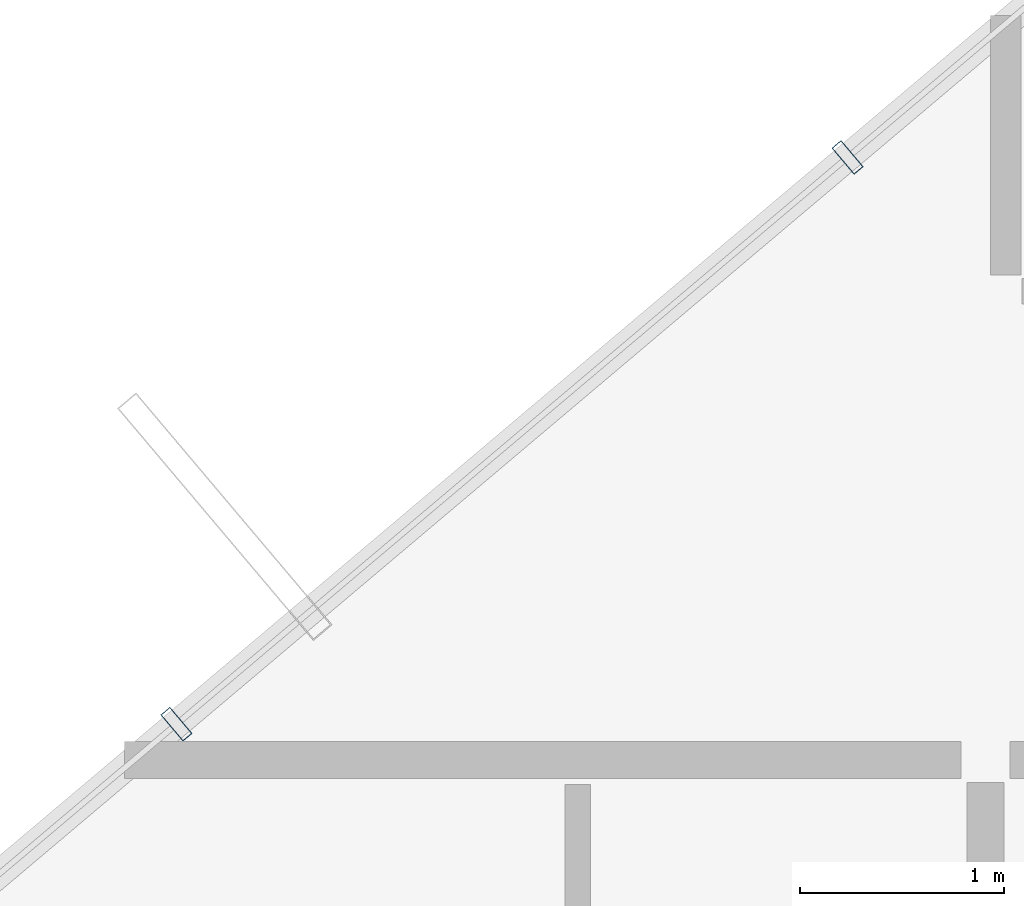
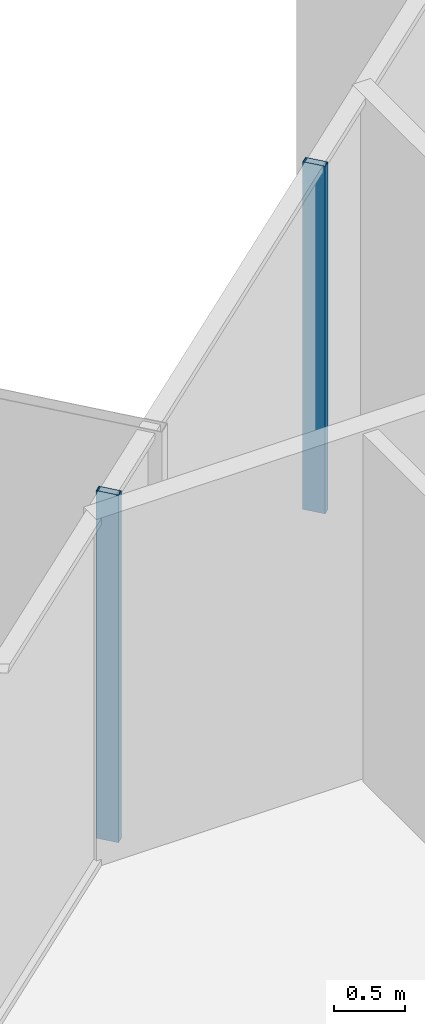
# One storey, part 21 of 36: 2 members, 1 element without a shape of its own.
"""IFC4 building model written with IfcOpenShell, lengths in metres."""

from ifc_helpers import new_model, si_unit, direction, frame, origin, origin_2d, place, context, subcontext, project, spatial, hollow_rectangle, extrude, source, transform, mapped, material, layer, layer_set, material_profile, profile_set, type_object, element, aggregate, save


model = new_model("IFC4")

# Units and contexts
model_context = context("Model", 3, precision=1e-05, world=origin(), true_north=direction((0.0, 1.0)))
body_context = subcontext(model_context, "Body", "Model", "MODEL_VIEW")
ifc_project = project(units=[si_unit("LENGTHUNIT", "METRE"), si_unit("AREAUNIT", "SQUARE_METRE"), si_unit("VOLUMEUNIT", "CUBIC_METRE"), si_unit("PLANEANGLEUNIT", "RADIAN"), si_unit("MASSUNIT", "GRAM", prefix="KILO")], contexts=[model_context])

# Site, building, storey
site_placement = place(None, origin())
site = spatial("IfcSite", under=ifc_project, at=site_placement, CompositionType="ELEMENT")
building_placement = place(site_placement, origin())
building = spatial("IfcBuilding", under=site, at=building_placement, Name="Veraguas Prism Commons", CompositionType="ELEMENT")
storey_placement = place(building_placement, frame((0.0, 0.0, 163.050048828125)))
storey = spatial("IfcBuildingStorey", under=building, at=storey_placement, Name="L46", CompositionType="ELEMENT", Elevation=163.050048828125)

# Curtain wall, members
ifc_material = material(Name="Anodised aluminium EN AW-6063 T6", Category="aluminium")
ifc_layer = layer(ifc_material, 0.169921875, Name="Unitised Flush Curtain Wall Zone 2", Category="aluminium")
ifc_layer_set = layer_set([ifc_layer], Name="Anodised aluminium EN AW-6063 T6")
curtain_wall_type = type_object("IfcCurtainWallType", Name="Unitised Flush Curtain Wall Zone 2", PredefinedType="NOTDEFINED", material=ifc_layer_set)
curtain_wall_placement = place(storey_placement, origin())
curtain_wall = element("IfcCurtainWall", 1, at=curtain_wall_placement, inside=storey, type_object=curtain_wall_type, Name="Tower Facade Curtain Wall L46-F2", PredefinedType="NOTDEFINED")
ifc_material_profile = material_profile(ifc_material, hollow_rectangle(XDim=0.06005859375, YDim=0.169921875, WallThickness=0.00390625, at=origin_2d()), Name="AL60X170X4")
ifc_profile_set = profile_set([ifc_material_profile], Name="Anodised aluminium EN AW-6063 T6")
member_type = type_object("IfcMemberType", Name="Curtain Wall Mullion Lower AL 60x170x4", PredefinedType="MULLION", material=ifc_profile_set)
shared_shape = source(origin(), body_context, "Body", "SweptSolid", [
    extrude(hollow_rectangle(XDim=0.06005859375, YDim=0.169921875, WallThickness=0.00390625, at=origin_2d()), origin(), (0.0, 0.0, 1.0), 3.0),
])
member_1_placement = place(storey_placement, frame((11.62353515625, 38.65576171875, 0.0), z_axis=(0.0, 0.0, 1.0), x_axis=(-0.764022415403, -0.645189699826, 0.0)))
member_1 = element("IfcMember", 2, at=member_1_placement, type_object=member_type, Name="CW-Z2 Mullion 3", PredefinedType="MULLION", context=body_context, shape_type="MappedRepresentation", body=[
    mapped(shared_shape, transform((0.0, 0.0, 0.0), scale=1.0)),
])
member_2_placement = place(storey_placement, frame((8.331787109375, 35.8759765625, 0.0), z_axis=(0.0, 0.0, 1.0), x_axis=(-0.764022415403, -0.645189699826, 0.0)))
member_2 = element("IfcMember", 3, at=member_2_placement, type_object=member_type, Name="CW-Z2 Mullion 4", PredefinedType="MULLION", context=body_context, shape_type="MappedRepresentation", body=[
    mapped(shared_shape, transform((0.0, 0.0, 0.0), scale=1.0)),
])
aggregate(curtain_wall, [member_1, member_2])

save(model, "model.ifc")
